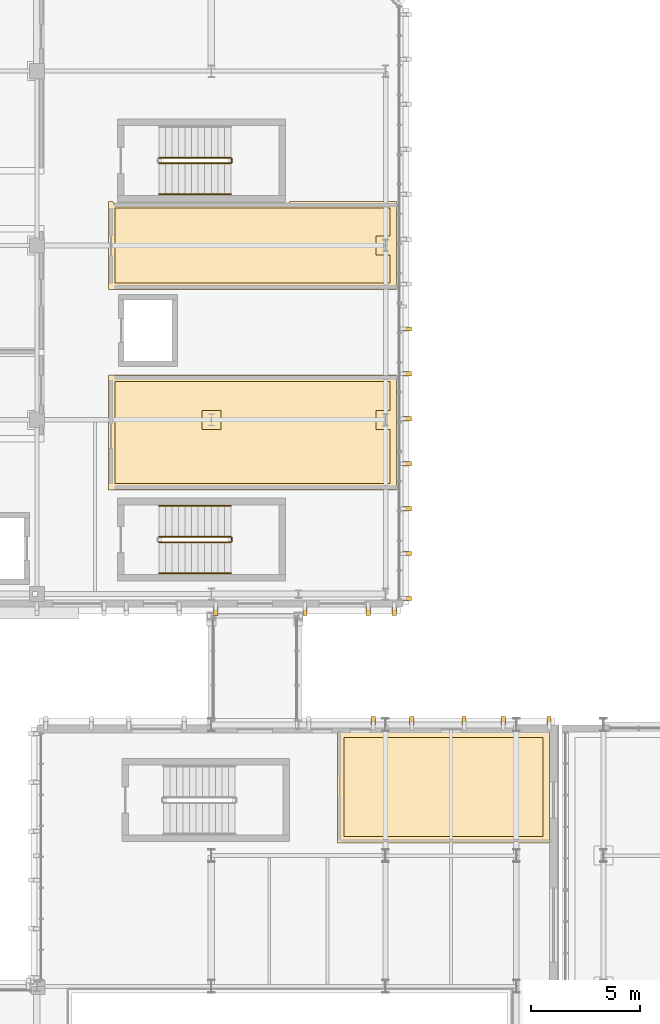
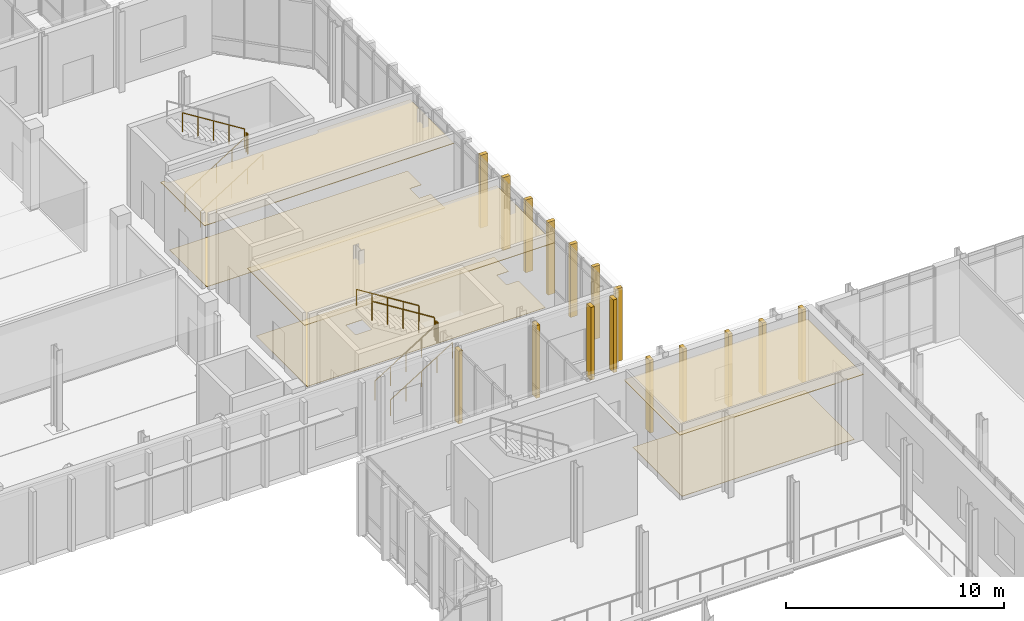
# One storey, part 88 of 100: 22 coverings, 9 railings.
"""IFC4 building model written with IfcOpenShell, lengths in metres."""

from ifc_helpers import new_model, si_unit, direction, frame, origin, origin_2d, place, context, subcontext, project, spatial, polyline, rectangle, circle, outline, extrude, material, layer, layer_set, type_object, element, save


model = new_model("IFC4")

# Units and contexts
model_context = context("Model", 3, precision=1e-05, world=origin(), true_north=direction((0.0, 1.0)))
body_context = subcontext(model_context, "Body", "Model", "MODEL_VIEW")
ifc_project = project(units=[si_unit("LENGTHUNIT", "METRE"), si_unit("AREAUNIT", "SQUARE_METRE"), si_unit("VOLUMEUNIT", "CUBIC_METRE"), si_unit("PLANEANGLEUNIT", "RADIAN"), si_unit("MASSUNIT", "GRAM", prefix="KILO")], contexts=[model_context])

# Site, building, storey
site_placement = place(None, origin())
site = spatial("IfcSite", under=ifc_project, at=site_placement, CompositionType="ELEMENT")
building_placement = place(site_placement, origin())
building = spatial("IfcBuilding", under=site, at=building_placement, Name="Cymarion Research Institute", CompositionType="ELEMENT")
storey_placement = place(building_placement, frame((0.0, 0.0, 4.800048828125)))
storey = spatial("IfcBuildingStorey", under=building, at=storey_placement, Name="L01", CompositionType="ELEMENT", Elevation=4.800048828125)

# Coverings
ifc_material_1 = material(Name="Micro-perforated mineral acoustic ceiling tile", Category="gypsum")
ifc_layer_1 = layer(ifc_material_1, 0.030029296875)
ifc_layer_set_1 = layer_set([ifc_layer_1], Name="Micro-perforated mineral acoustic ceiling tile")
covering_type_1 = type_object("IfcCoveringType", Name="ACOUSTIC MICRO-PERFORATED SUSPENDED CEILING CLG-01", PredefinedType="CEILING", material=ifc_layer_set_1)
covering_1_placement = place(storey_placement, frame((0.0, 0.0, 3.699951171875)))
element("IfcCovering", 1, at=covering_1_placement, inside=storey, type_object=covering_type_1, Name="L01 L01 Simultaneous Interpretation & Projection Suite acoustic ceiling", PredefinedType="CEILING", context=body_context, shape_type="SweptSolid", body=[
    extrude(outline(polyline([(54.114990234375, 41.215087890625), (54.114990234375, 36.0849609375), (44.385009765625, 36.0849609375), (44.385009765625, 41.215087890625), (54.114990234375, 41.215087890625)])), origin(), (0.0, 0.0, 1.0), 0.030029296875),
])
covering_2_placement = place(storey_placement, frame((0.0, 0.0, 3.699951171875)))
element("IfcCovering", 2, at=covering_2_placement, inside=storey, type_object=covering_type_1, Name="L01 L01 Gas Cabinet & Thin-Film Deposition Laboratory acoustic ceiling", PredefinedType="CEILING", context=body_context, shape_type="SweptSolid", body=[
    extrude(outline(polyline([(47.094970703125, 57.56494140625), (47.094970703125, 52.284912109375), (33.885009765625, 52.284912109375), (33.885009765625, 57.56494140625), (47.094970703125, 57.56494140625)])), origin(), (0.0, 0.0, 1.0), 0.030029296875),
])
covering_3_placement = place(storey_placement, frame((0.0, 0.0, 3.699951171875)))
element("IfcCovering", 3, at=covering_3_placement, inside=storey, type_object=covering_type_1, Name="L01 L01 Accessible WC and Cleanroom Staff Washrooms acoustic ceiling", PredefinedType="CEILING", context=body_context, shape_type="SweptSolid", body=[
    extrude(outline(polyline([(34.10009765625, 65.514892578125), (34.10009765625, 65.5), (34.10107421875, 65.48046875), (34.103759765625, 65.4609375), (34.108642578125, 65.44189453125), (34.115234375, 65.423583984375), (34.12353515625, 65.40576171875), (34.1337890625, 65.388916015625), (34.1455078125, 65.373046875), (34.15869140625, 65.358642578125), (34.173095703125, 65.345458984375), (34.18896484375, 65.333740234375), (34.205810546875, 65.323486328125), (34.223388671875, 65.315185546875), (34.241943359375, 65.30859375), (34.260986328125, 65.3037109375), (34.280517578125, 65.301025390625), (34.300048828125, 65.300048828125), (42.0, 65.300048828125), (42.01953125, 65.301025390625), (42.0390625, 65.3037109375), (42.05810546875, 65.30859375), (42.076416015625, 65.315185546875), (42.09423828125, 65.323486328125), (42.111083984375, 65.333740234375), (42.126953125, 65.345458984375), (42.141357421875, 65.358642578125), (42.154541015625, 65.373046875), (42.166259765625, 65.388916015625), (42.176513671875, 65.40576171875), (42.184814453125, 65.423583984375), (42.19140625, 65.44189453125), (42.1962890625, 65.4609375), (42.198974609375, 65.48046875), (42.199951171875, 65.5), (42.199951171875, 65.514892578125), (47.094970703125, 65.514892578125), (47.094970703125, 61.485107421875), (33.885009765625, 61.485107421875), (33.885009765625, 65.514892578125), (34.10009765625, 65.514892578125)])), origin(), (0.0, 0.0, 1.0), 0.030029296875),
])

# Railings
ifc_material_2 = material(Name="Steel S355", Category="steel")
railing_type_1 = type_object("IfcRailingType", Name="PAINTED STEEL STAIR GUARDRAIL GR1 1100MM", PredefinedType="GUARDRAIL", material=ifc_material_2)
railing_1_placement = place(storey_placement, frame((36.199951171875, 49.8701171875, 0.1875)))
element("IfcRailing", 4, at=railing_1_placement, inside=storey, type_object=railing_type_1, Name="L01 ST7 stair guard 1", PredefinedType="GUARDRAIL", context=body_context, shape_type="SweptSolid", body=[
    extrude(circle(Radius=0.02392578125, at=origin_2d()), frame((0.0, 0.0, 1.076171875), z_axis=(0.848001828478, 0.0, 0.529993300805), x_axis=(0.0, 1.0, 0.0)), (0.0, 0.0, 1.0), 3.8916015625),
    extrude(circle(Radius=0.02099609375, at=origin_2d()), origin(), (0.0, 0.0, 1.0), 1.052001953125),
    extrude(circle(Radius=0.02099609375, at=origin_2d()), frame((0.824951171875, 0.0, 0.515625)), (0.0, 0.0, 1.0), 1.052001953125),
    extrude(circle(Radius=0.02099609375, at=origin_2d()), frame((1.64990234375, 0.0, 1.03125)), (0.0, 0.0, 1.0), 1.052001953125),
    extrude(circle(Radius=0.02099609375, at=origin_2d()), frame((2.47509765625, 0.0, 1.546875)), (0.0, 0.0, 1.0), 1.052001953125),
    extrude(circle(Radius=0.02099609375, at=origin_2d()), frame((3.300048828125, 0.0, 2.0625)), (0.0, 0.0, 1.0), 1.052001953125),
])
railing_2_placement = place(storey_placement, frame((39.550048828125, 49.919921875, 2.25)))
element("IfcRailing", 5, at=railing_2_placement, inside=storey, type_object=railing_type_1, Name="L01 ST7 stair guard 2", PredefinedType="GUARDRAIL", context=body_context, shape_type="SweptSolid", body=[
    extrude(circle(Radius=0.02392578125, at=origin_2d()), frame((0.0, 0.0, 1.076171875), z_axis=(0.0, 1.0, 0.0), x_axis=(-1.0, 0.0, 0.0)), (0.0, 0.0, 1.0), 0.16015625),
    extrude(circle(Radius=0.02099609375, at=origin_2d()), origin(), (0.0, 0.0, 1.0), 1.052001953125),
    extrude(circle(Radius=0.02099609375, at=origin_2d()), frame((0.0, 0.16015625, 0.0)), (0.0, 0.0, 1.0), 1.052001953125),
])
railing_3_placement = place(storey_placement, frame((39.5, 50.1298828125, 2.4375)))
element("IfcRailing", 6, at=railing_3_placement, inside=storey, type_object=railing_type_1, Name="L01 ST7 stair guard 3", PredefinedType="GUARDRAIL", context=body_context, shape_type="SweptSolid", body=[
    extrude(circle(Radius=0.02392578125, at=origin_2d()), frame((0.0, 0.0, 1.076171875), z_axis=(-0.848001828478, 0.0, 0.529993300805), x_axis=(0.0, -1.0, 0.0)), (0.0, 0.0, 1.0), 3.8916015625),
    extrude(circle(Radius=0.02099609375, at=origin_2d()), origin(), (0.0, 0.0, 1.0), 1.052001953125),
    extrude(circle(Radius=0.02099609375, at=origin_2d()), frame((-0.824951171875, 0.0, 0.515625)), (0.0, 0.0, 1.0), 1.052001953125),
    extrude(circle(Radius=0.02099609375, at=origin_2d()), frame((-1.64990234375, 0.0, 1.03125)), (0.0, 0.0, 1.0), 1.052001953125),
    extrude(circle(Radius=0.02099609375, at=origin_2d()), frame((-2.47509765625, 0.0, 1.546875)), (0.0, 0.0, 1.0), 1.052001953125),
    extrude(circle(Radius=0.02099609375, at=origin_2d()), frame((-3.300048828125, 0.0, 2.0625)), (0.0, 0.0, 1.0), 1.052001953125),
])
railing_4_placement = place(storey_placement, frame((36.199951171875, 67.27001953125, 0.1875)))
element("IfcRailing", 7, at=railing_4_placement, inside=storey, type_object=railing_type_1, Name="L01 ST8 stair guard 1", PredefinedType="GUARDRAIL", context=body_context, shape_type="SweptSolid", body=[
    extrude(circle(Radius=0.02392578125, at=origin_2d()), frame((0.0, 0.0, 1.076171875), z_axis=(0.848001828478, 0.0, 0.529993300805), x_axis=(0.0, 1.0, 0.0)), (0.0, 0.0, 1.0), 3.8916015625),
    extrude(circle(Radius=0.02099609375, at=origin_2d()), origin(), (0.0, 0.0, 1.0), 1.052001953125),
    extrude(circle(Radius=0.02099609375, at=origin_2d()), frame((0.824951171875, 0.0, 0.515625)), (0.0, 0.0, 1.0), 1.052001953125),
    extrude(circle(Radius=0.02099609375, at=origin_2d()), frame((1.64990234375, 0.0, 1.03125)), (0.0, 0.0, 1.0), 1.052001953125),
    extrude(circle(Radius=0.02099609375, at=origin_2d()), frame((2.47509765625, 0.0, 1.546875)), (0.0, 0.0, 1.0), 1.052001953125),
    extrude(circle(Radius=0.02099609375, at=origin_2d()), frame((3.300048828125, 0.0, 2.0625)), (0.0, 0.0, 1.0), 1.052001953125),
])
railing_5_placement = place(storey_placement, frame((39.550048828125, 67.320068359375, 2.25)))
element("IfcRailing", 8, at=railing_5_placement, inside=storey, type_object=railing_type_1, Name="L01 ST8 stair guard 2", PredefinedType="GUARDRAIL", context=body_context, shape_type="SweptSolid", body=[
    extrude(circle(Radius=0.02392578125, at=origin_2d()), frame((0.0, 0.0, 1.076171875), z_axis=(0.0, 1.0, 0.0), x_axis=(-1.0, 0.0, 0.0)), (0.0, 0.0, 1.0), 0.159912109375),
    extrude(circle(Radius=0.02099609375, at=origin_2d()), origin(), (0.0, 0.0, 1.0), 1.052001953125),
    extrude(circle(Radius=0.02099609375, at=origin_2d()), frame((0.0, 0.159912109375, 0.0)), (0.0, 0.0, 1.0), 1.052001953125),
])
railing_6_placement = place(storey_placement, frame((39.5, 67.530029296875, 2.4375)))
element("IfcRailing", 9, at=railing_6_placement, inside=storey, type_object=railing_type_1, Name="L01 ST8 stair guard 3", PredefinedType="GUARDRAIL", context=body_context, shape_type="SweptSolid", body=[
    extrude(circle(Radius=0.02392578125, at=origin_2d()), frame((0.0, 0.0, 1.076171875), z_axis=(-0.848001828478, 0.0, 0.529993300805), x_axis=(0.0, -1.0, 0.0)), (0.0, 0.0, 1.0), 3.8916015625),
    extrude(circle(Radius=0.02099609375, at=origin_2d()), origin(), (0.0, 0.0, 1.0), 1.052001953125),
    extrude(circle(Radius=0.02099609375, at=origin_2d()), frame((-0.824951171875, 0.0, 0.515625)), (0.0, 0.0, 1.0), 1.052001953125),
    extrude(circle(Radius=0.02099609375, at=origin_2d()), frame((-1.64990234375, 0.0, 1.03125)), (0.0, 0.0, 1.0), 1.052001953125),
    extrude(circle(Radius=0.02099609375, at=origin_2d()), frame((-2.47509765625, 0.0, 1.546875)), (0.0, 0.0, 1.0), 1.052001953125),
    extrude(circle(Radius=0.02099609375, at=origin_2d()), frame((-3.300048828125, 0.0, 2.0625)), (0.0, 0.0, 1.0), 1.052001953125),
])

# Coverings
ifc_material_3 = material(Name="Precast concrete C45/55 architectural white", Category="concrete")
ifc_layer_2 = layer(ifc_material_3, 0.199951171875)
ifc_layer_set_2 = layer_set([ifc_layer_2], Name="Precast concrete C45/55 architectural white")
covering_type_2 = type_object("IfcCoveringType", Name="SCULPTURAL WHITE PRECAST CONCRETE VERTICAL RIB RIB1 380X200", PredefinedType="CLADDING", material=ifc_layer_set_2)
for number, where, z_axis, x_axis, name in (
    (10, (54.10009765625, 41.69189453125, 0.009765625), (0.0, 0.0, 1.0), (0.0, 1.0, 0.0), "L01 V3 sculptural precast vertical rib RIB1 #245"),
    (11, (52.0, 41.69189453125, 0.009765625), (0.0, 0.0, 1.0), (0.0, 1.0, 0.0), "L01 V3 sculptural precast vertical rib RIB1 #246"),
    (12, (50.199951171875, 41.69189453125, 0.009765625), (0.0, 0.0, 1.0), (0.0, 1.0, 0.0), "L01 V3 sculptural precast vertical rib RIB1 #247"),
    (13, (47.800048828125, 41.69189453125, 0.009765625), (0.0, 0.0, 1.0), (0.0, 1.0, 0.0), "L01 V3 sculptural precast vertical rib RIB1 #248"),
    (14, (46.030029296875, 41.69189453125, 0.009765625), (0.0, 0.0, 1.0), (0.0, 1.0, 0.0), "L01 V3 sculptural precast vertical rib RIB1 #249"),
    (15, (38.800048828125, 46.7080078125, 0.009765625), (0.0, 0.0, 1.0), (0.0, -1.0, 0.0), "L01 V4 sculptural precast vertical rib RIB1 #306"),
    (16, (42.89990234375, 46.7080078125, 0.009765625), (0.0, 0.0, 1.0), (0.0, -1.0, 0.0), "L01 V4 sculptural precast vertical rib RIB1 #307"),
    (17, (45.800048828125, 46.7080078125, 0.009765625), (0.0, 0.0, 1.0), (0.0, -1.0, 0.0), "L01 V4 sculptural precast vertical rib RIB1 #308"),
    (18, (47.0, 46.7080078125, 0.009765625), (0.0, 0.0, 1.0), (0.0, -1.0, 0.0), "L01 V4 sculptural precast vertical rib RIB1 #309"),
    (19, (47.592041015625, 47.300048828125, 0.009765625), (0.0, 0.0, 1.0), (1.0, 0.0, 0.0), "L01 V4 sculptural precast vertical rib RIB1 #311"),
    (20, (47.592041015625, 49.361572265625, 0.009765625), (0.0, 0.0, 1.0), (1.0, 0.0, 0.0), "L01 V4 sculptural precast vertical rib RIB1 #312"),
    (21, (47.592041015625, 51.423095703125, 0.009765625), (0.0, 0.0, 1.0), (1.0, 0.0, 0.0), "L01 V4 sculptural precast vertical rib RIB1 #313"),
    (22, (47.592041015625, 53.484619140625, 0.009765625), (0.0, 0.0, 1.0), (1.0, 0.0, 0.0), "L01 V4 sculptural precast vertical rib RIB1 #314"),
    (23, (47.592041015625, 55.546142578125, 0.009765625), (0.0, 0.0, 1.0), (1.0, 0.0, 0.0), "L01 V4 sculptural precast vertical rib RIB1 #315"),
    (24, (47.592041015625, 57.607666015625, 0.009765625), (0.0, 0.0, 1.0), (1.0, 0.0, 0.0), "L01 V4 sculptural precast vertical rib RIB1 #316"),
    (25, (47.592041015625, 59.669189453125, 0.009765625), (0.0, 0.0, 1.0), (1.0, 0.0, 0.0), "L01 V4 sculptural precast vertical rib RIB1 #317"),
):
    element("IfcCovering", number, at=place(storey_placement, frame(where, z_axis=z_axis, x_axis=x_axis)), inside=storey, type_object=covering_type_2, Name=name, PredefinedType="CLADDING", context=body_context, shape_type="SweptSolid", body=[
        extrude(rectangle(XDim=0.3798828125, YDim=0.199951171875, at=origin_2d()), origin(), (0.0, 0.0, 1.0), 4.074951171875),
    ])
ifc_material_4 = material(Name="Seamless dissipative epoxy resin flooring", Category="resin")
ifc_layer_3 = layer(ifc_material_4, 0.02001953125)
ifc_layer_set_3 = layer_set([ifc_layer_3], Name="Seamless dissipative epoxy resin flooring")
covering_type_3 = type_object("IfcCoveringType", Name="SEAMLESS ESD EPOXY LABORATORY FLOORING FLR-01", PredefinedType="FLOORING", material=ifc_layer_set_3)
covering_4_placement = place(storey_placement, origin())
element("IfcCovering", 26, at=covering_4_placement, inside=storey, type_object=covering_type_3, Name="L01 L01 Simultaneous Interpretation & Projection Suite ESD epoxy flooring", PredefinedType="FLOORING", context=body_context, shape_type="SweptSolid", body=[
    extrude(outline(polyline([(44.68505859375, 40.9150390625), (53.81494140625, 40.9150390625), (53.81494140625, 36.385009765625), (44.68505859375, 36.385009765625), (44.68505859375, 40.9150390625)])), origin(), (0.0, 0.0, 1.0), 0.02001953125),
])
covering_5_placement = place(storey_placement, origin())
element("IfcCovering", 27, at=covering_5_placement, inside=storey, type_object=covering_type_3, Name="L01 L01 Gas Cabinet & Thin-Film Deposition Laboratory ESD epoxy flooring", PredefinedType="FLOORING", context=body_context, shape_type="SweptSolid", body=[
    extrude(outline(polyline([(34.18505859375, 57.264892578125), (46.794921875, 57.264892578125), (46.794921875, 55.93505859375), (46.1650390625, 55.93505859375), (46.1650390625, 55.06494140625), (46.794921875, 55.06494140625), (46.794921875, 52.5849609375), (34.18505859375, 52.5849609375), (34.18505859375, 57.264892578125)]), holes=[polyline([(39.034912109375, 55.93505859375), (38.1650390625, 55.93505859375), (38.1650390625, 55.06494140625), (39.034912109375, 55.06494140625), (39.034912109375, 55.93505859375)])]), origin(), (0.0, 0.0, 1.0), 0.02001953125),
])
covering_6_placement = place(storey_placement, origin())
element("IfcCovering", 28, at=covering_6_placement, inside=storey, type_object=covering_type_3, Name="L01 L01 Accessible WC and Cleanroom Staff Washrooms ESD epoxy flooring", PredefinedType="FLOORING", context=body_context, shape_type="SweptSolid", body=[
    extrude(outline(polyline([(34.18505859375, 65.215087890625), (46.794921875, 65.215087890625), (46.794921875, 63.93505859375), (46.1650390625, 63.93505859375), (46.1650390625, 63.06494140625), (46.794921875, 63.06494140625), (46.794921875, 61.784912109375), (34.18505859375, 61.784912109375), (34.18505859375, 65.215087890625)])), origin(), (0.0, 0.0, 1.0), 0.02001953125),
])

# Railings
railing_type_2 = type_object("IfcRailingType", Name="STAINLESS STEEL STAIR HANDRAIL HR1 900MM", PredefinedType="HANDRAIL", material=ifc_material_2)
railing_7_placement = place(storey_placement, frame((36.199951171875, 48.449951171875, 0.1875)))
element("IfcRailing", 29, at=railing_7_placement, inside=storey, type_object=railing_type_2, Name="L01 ST7 stair handrail 1", PredefinedType="HANDRAIL", context=body_context, shape_type="SweptSolid", body=[
    extrude(circle(Radius=0.02392578125, at=origin_2d()), frame((0.0, 0.0, 0.8759765625), z_axis=(0.848001828478, 0.0, 0.529993300805), x_axis=(0.0, 1.0, 0.0)), (0.0, 0.0, 1.0), 3.8916015625),
    extrude(circle(Radius=0.02099609375, at=origin_2d()), origin(), (0.0, 0.0, 1.0), 0.851806640625),
    extrude(circle(Radius=0.02099609375, at=origin_2d()), frame((0.824951171875, 0.0, 0.515625)), (0.0, 0.0, 1.0), 0.851806640625),
    extrude(circle(Radius=0.02099609375, at=origin_2d()), frame((1.64990234375, 0.0, 1.03125)), (0.0, 0.0, 1.0), 0.851806640625),
    extrude(circle(Radius=0.02099609375, at=origin_2d()), frame((2.47509765625, 0.0, 1.546875)), (0.0, 0.0, 1.0), 0.851806640625),
    extrude(circle(Radius=0.02099609375, at=origin_2d()), frame((3.300048828125, 0.0, 2.0625)), (0.0, 0.0, 1.0), 0.851806640625),
])
railing_8_placement = place(storey_placement, frame((39.5, 51.550048828125, 2.4375)))
element("IfcRailing", 30, at=railing_8_placement, inside=storey, type_object=railing_type_2, Name="L01 ST7 stair handrail 2", PredefinedType="HANDRAIL", context=body_context, shape_type="SweptSolid", body=[
    extrude(circle(Radius=0.02392578125, at=origin_2d()), frame((0.0, 0.0, 0.8759765625), z_axis=(-0.848001828478, 0.0, 0.529993300805), x_axis=(0.0, -1.0, 0.0)), (0.0, 0.0, 1.0), 3.8916015625),
    extrude(circle(Radius=0.02099609375, at=origin_2d()), origin(), (0.0, 0.0, 1.0), 0.851806640625),
    extrude(circle(Radius=0.02099609375, at=origin_2d()), frame((-0.824951171875, 0.0, 0.515625)), (0.0, 0.0, 1.0), 0.851806640625),
    extrude(circle(Radius=0.02099609375, at=origin_2d()), frame((-1.64990234375, 0.0, 1.03125)), (0.0, 0.0, 1.0), 0.851806640625),
    extrude(circle(Radius=0.02099609375, at=origin_2d()), frame((-2.47509765625, 0.0, 1.546875)), (0.0, 0.0, 1.0), 0.851806640625),
    extrude(circle(Radius=0.02099609375, at=origin_2d()), frame((-3.300048828125, 0.0, 2.0625)), (0.0, 0.0, 1.0), 0.851806640625),
])
railing_9_placement = place(storey_placement, frame((36.199951171875, 65.85009765625, 0.1875)))
element("IfcRailing", 31, at=railing_9_placement, inside=storey, type_object=railing_type_2, Name="L01 ST8 stair handrail 1", PredefinedType="HANDRAIL", context=body_context, shape_type="SweptSolid", body=[
    extrude(circle(Radius=0.02392578125, at=origin_2d()), frame((0.0, 0.0, 0.8759765625), z_axis=(0.848001828478, 0.0, 0.529993300805), x_axis=(0.0, 1.0, 0.0)), (0.0, 0.0, 1.0), 3.8916015625),
    extrude(circle(Radius=0.02099609375, at=origin_2d()), origin(), (0.0, 0.0, 1.0), 0.851806640625),
    extrude(circle(Radius=0.02099609375, at=origin_2d()), frame((0.824951171875, 0.0, 0.515625)), (0.0, 0.0, 1.0), 0.851806640625),
    extrude(circle(Radius=0.02099609375, at=origin_2d()), frame((1.64990234375, 0.0, 1.03125)), (0.0, 0.0, 1.0), 0.851806640625),
    extrude(circle(Radius=0.02099609375, at=origin_2d()), frame((2.47509765625, 0.0, 1.546875)), (0.0, 0.0, 1.0), 0.851806640625),
    extrude(circle(Radius=0.02099609375, at=origin_2d()), frame((3.300048828125, 0.0, 2.0625)), (0.0, 0.0, 1.0), 0.851806640625),
])

save(model, "model.ifc")
